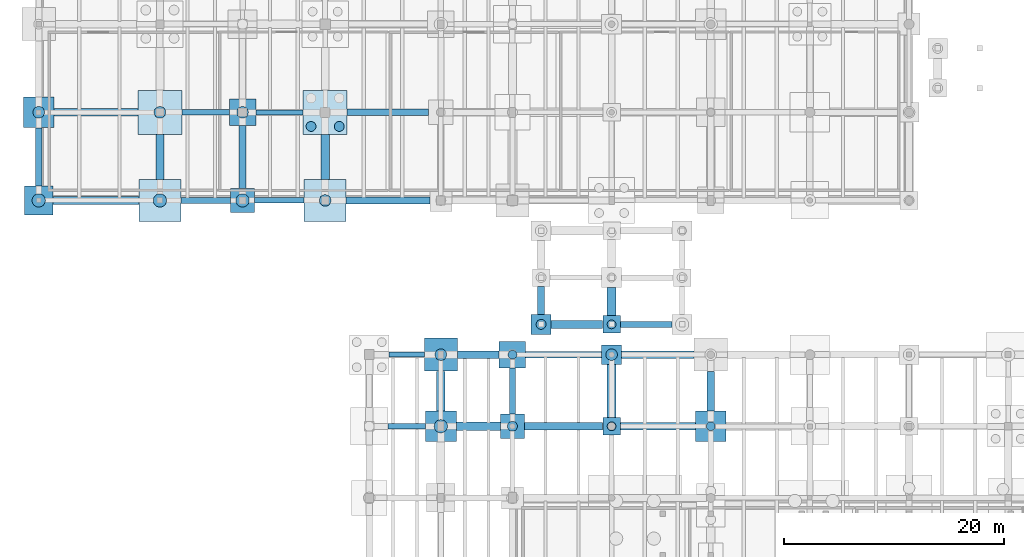
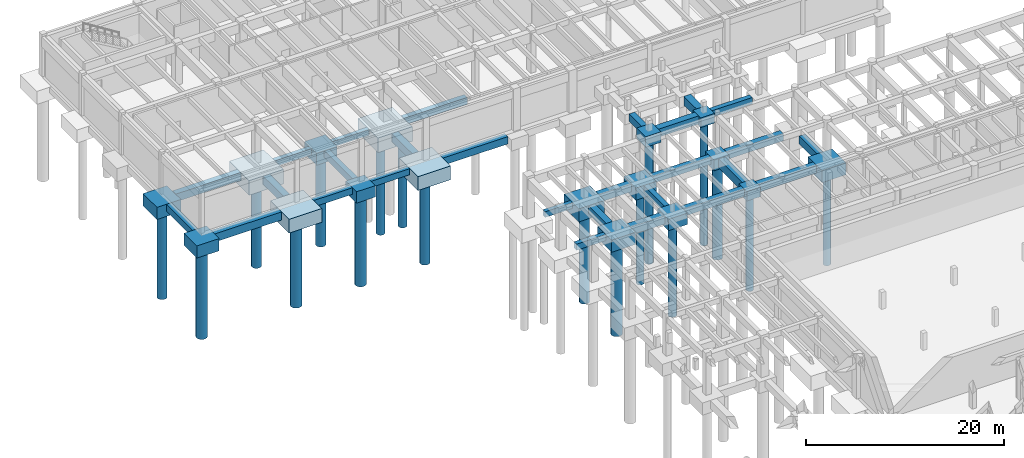
# One storey, part 7 of 36: 45 footings, 18 piles.
"""IFC4 building model written with IfcOpenShell, lengths in metres."""

from ifc_helpers import new_model, si_unit, direction, frame, origin, origin_2d, place, context, subcontext, project, spatial, polyline, circle, outline, extrude, material, material_profile, profile_set, type_object, element, save


model = new_model("IFC4")

# Units and contexts
model_context = context("Model", 3, precision=1e-05, world=origin(), true_north=direction((0.0, 1.0)))
body_context = subcontext(model_context, "Body", "Model", "MODEL_VIEW")
ifc_project = project(units=[si_unit("LENGTHUNIT", "METRE"), si_unit("AREAUNIT", "SQUARE_METRE"), si_unit("VOLUMEUNIT", "CUBIC_METRE"), si_unit("PLANEANGLEUNIT", "RADIAN"), si_unit("MASSUNIT", "GRAM", prefix="KILO"), si_unit("THERMODYNAMICTEMPERATUREUNIT", "KELVIN"), si_unit("POWERUNIT", "WATT")], contexts=[model_context])

# Site, building, storey
site_placement = place(None, origin())
site = spatial("IfcSite", under=ifc_project, at=site_placement, CompositionType="ELEMENT")
building_placement = place(site_placement, origin())
building = spatial("IfcBuilding", under=site, at=building_placement, Name="Tepalcoro Natatorium and Aquatics Centre", CompositionType="ELEMENT")
storey_placement = place(building_placement, frame((0.0, 0.0, -5.199951171875)))
storey = spatial("IfcBuildingStorey", under=building, at=storey_placement, Name="B1", CompositionType="ELEMENT", Elevation=-5.199951171875)

# Footings
ifc_material = material(Name="Concrete C40/50 (fc 40 MPa)", Category="concrete")
footing_type_1 = type_object("IfcFootingType", Name="FB_450x700", PredefinedType="FOOTING_BEAM", material=ifc_material)
footing_1_placement = place(storey_placement, frame((0.0, 0.0, -0.699951171875)))
element("IfcFooting", 1, at=footing_1_placement, inside=storey, type_object=footing_type_1, Name="V1 B1 Foundation Tie Beam X", PredefinedType="FOOTING_BEAM", context=body_context, shape_type="SweptSolid", body=[
    extrude(outline(polyline([(41.804931640625, 71.77490234375), (44.9951171875, 71.77490234375), (44.9951171875, 72.22509765625), (41.804931640625, 72.22509765625), (41.804931640625, 71.77490234375)])), origin(), (0.0, 0.0, 1.0), 0.699951171875),
])
footing_2_placement = place(storey_placement, frame((0.0, 0.0, -1.16015625)))
element("IfcFooting", 2, at=footing_2_placement, inside=storey, type_object=footing_type_1, Name="V4 B1 Foundation Tie Beam X", PredefinedType="FOOTING_BEAM", context=body_context, shape_type="SweptSolid", body=[
    extrude(outline(polyline([(29.705078125, 93.77490234375), (33.9951171875, 93.77490234375), (33.9951171875, 94.22509765625), (29.705078125, 94.22509765625), (29.705078125, 93.77490234375)])), origin(), (0.0, 0.0, 1.0), 0.7001953125),
])
footing_type_2 = type_object("IfcFootingType", Name="FB_500x750", PredefinedType="FOOTING_BEAM", material=ifc_material)
footing_3_placement = place(storey_placement, frame((0.0, 0.0, -0.75)))
element("IfcFooting", 3, at=footing_3_placement, inside=storey, type_object=footing_type_2, Name="V1 B1 Foundation Tie Beam X", PredefinedType="FOOTING_BEAM", context=body_context, shape_type="SweptSolid", body=[
    extrude(outline(polyline([(41.705078125, 65.25), (45.094970703125, 65.25), (45.094970703125, 65.75), (41.705078125, 65.75), (41.705078125, 65.25)])), origin(), (0.0, 0.0, 1.0), 0.75),
])
footing_4_placement = place(storey_placement, frame((0.0, 0.0, -1.2099609375)))
element("IfcFooting", 4, at=footing_4_placement, inside=storey, type_object=footing_type_2, Name="V4 B1 Foundation Tie Beam X", PredefinedType="FOOTING_BEAM", context=body_context, shape_type="SweptSolid", body=[
    extrude(outline(polyline([(23.0048828125, 93.75), (27.294921875, 93.75), (27.294921875, 94.25), (23.0048828125, 94.25), (23.0048828125, 93.75)])), origin(), (0.0, 0.0, 1.0), 0.75),
])
footing_5_placement = place(storey_placement, frame((0.0, 0.0, -1.2099609375)))
element("IfcFooting", 5, at=footing_5_placement, inside=storey, type_object=footing_type_2, Name="V4 B1 Foundation Tie Beam X", PredefinedType="FOOTING_BEAM", context=body_context, shape_type="SweptSolid", body=[
    extrude(outline(polyline([(29.60498046875, 85.75), (34.094970703125, 85.75), (34.094970703125, 86.25), (29.60498046875, 86.25), (29.60498046875, 85.75)])), origin(), (0.0, 0.0, 1.0), 0.75),
])
footing_type_3 = type_object("IfcFootingType", Name="FB_550x800", PredefinedType="FOOTING_BEAM", material=ifc_material)
footing_6_placement = place(storey_placement, frame((0.0, 0.0, -0.800048828125)))
element("IfcFooting", 6, at=footing_6_placement, inside=storey, type_object=footing_type_3, Name="V1 B1 Foundation Tie Beam Y", PredefinedType="FOOTING_BEAM", context=body_context, shape_type="SweptSolid", body=[
    extrude(outline(polyline([(53.27490234375, 66.60498046875), (53.27490234375, 70.794921875), (52.72509765625, 70.794921875), (52.72509765625, 66.60498046875), (53.27490234375, 66.60498046875)])), origin(), (0.0, 0.0, 1.0), 0.800048828125),
])
footing_7_placement = place(storey_placement, frame((0.0, 0.0, -1.260009765625)))
element("IfcFooting", 7, at=footing_7_placement, inside=storey, type_object=footing_type_3, Name="V4 B1 Foundation Tie Beam X", PredefinedType="FOOTING_BEAM", context=body_context, shape_type="SweptSolid", body=[
    extrude(outline(polyline([(22.905029296875, 85.72509765625), (27.39501953125, 85.72509765625), (27.39501953125, 86.27490234375), (22.905029296875, 86.27490234375), (22.905029296875, 85.72509765625)])), origin(), (0.0, 0.0, 1.0), 0.800048828125),
])
footing_8_placement = place(storey_placement, frame((0.0, 0.0, 2.64990234375)))
element("IfcFooting", 8, at=footing_8_placement, inside=storey, type_object=footing_type_3, Name="V6NW B1 Foundation Tie Beam X", PredefinedType="FOOTING_BEAM", context=body_context, shape_type="SweptSolid", body=[
    extrude(outline(polyline([(62.804931640625, 74.47509765625), (67.4951171875, 74.47509765625), (67.4951171875, 75.02490234375), (62.804931640625, 75.02490234375), (62.804931640625, 74.47509765625)])), origin(), (0.0, 0.0, 1.0), 0.800048828125),
])
footing_type_4 = type_object("IfcFootingType", Name="FB_600x850", PredefinedType="FOOTING_BEAM", material=ifc_material)
footing_9_placement = place(storey_placement, frame((0.0, 0.0, -0.85009765625)))
element("IfcFooting", 9, at=footing_9_placement, inside=storey, type_object=footing_type_4, Name="V1 B1 Foundation Tie Beam X", PredefinedType="FOOTING_BEAM", context=body_context, shape_type="SweptSolid", body=[
    extrude(outline(polyline([(54.205078125, 71.699951171875), (61.094970703125, 71.699951171875), (61.094970703125, 72.300048828125), (54.205078125, 72.300048828125), (54.205078125, 71.699951171875)])), origin(), (0.0, 0.0, 1.0), 0.85009765625),
])
footing_10_placement = place(storey_placement, frame((0.0, 0.0, -1.31005859375)))
element("IfcFooting", 10, at=footing_10_placement, inside=storey, type_object=footing_type_4, Name="V4 B1 Foundation Tie Beam X", PredefinedType="FOOTING_BEAM", context=body_context, shape_type="SweptSolid", body=[
    extrude(outline(polyline([(38.0048828125, 93.699951171875), (45.39501953125, 93.699951171875), (45.39501953125, 94.300048828125), (38.0048828125, 94.300048828125), (38.0048828125, 93.699951171875)])), origin(), (0.0, 0.0, 1.0), 0.85009765625),
])
footing_11_placement = place(storey_placement, frame((0.0, 0.0, -1.31005859375)))
element("IfcFooting", 11, at=footing_11_placement, inside=storey, type_object=footing_type_4, Name="V4 B1 Foundation Tie Beam Y", PredefinedType="FOOTING_BEAM", context=body_context, shape_type="SweptSolid", body=[
    extrude(outline(polyline([(10.300048828125, 87.304931640625), (10.300048828125, 92.594970703125), (9.699951171875, 92.594970703125), (9.699951171875, 87.304931640625), (10.300048828125, 87.304931640625)])), origin(), (0.0, 0.0, 1.0), 0.85009765625),
])
footing_12_placement = place(storey_placement, frame((0.0, 0.0, -1.31005859375)))
element("IfcFooting", 12, at=footing_12_placement, inside=storey, type_object=footing_type_4, Name="V4 B1 Foundation Tie Beam Y", PredefinedType="FOOTING_BEAM", context=body_context, shape_type="SweptSolid", body=[
    extrude(outline(polyline([(28.800048828125, 87.10498046875), (28.800048828125, 92.794921875), (28.199951171875, 92.794921875), (28.199951171875, 87.10498046875), (28.800048828125, 87.10498046875)])), origin(), (0.0, 0.0, 1.0), 0.85009765625),
])
footing_type_5 = type_object("IfcFootingType", Name="FB_650x900", PredefinedType="FOOTING_BEAM", material=ifc_material)
footing_13_placement = place(storey_placement, frame((0.0, 0.0, -0.900146484375)))
element("IfcFooting", 13, at=footing_13_placement, inside=storey, type_object=footing_type_5, Name="V1 B1 Foundation Tie Beam X", PredefinedType="FOOTING_BEAM", context=body_context, shape_type="SweptSolid", body=[
    extrude(outline(polyline([(54.10498046875, 65.175048828125), (61.195068359375, 65.175048828125), (61.195068359375, 65.824951171875), (54.10498046875, 65.824951171875), (54.10498046875, 65.175048828125)])), origin(), (0.0, 0.0, 1.0), 0.900146484375),
])
footing_14_placement = place(storey_placement, frame((0.0, 0.0, -0.900146484375)))
element("IfcFooting", 14, at=footing_14_placement, inside=storey, type_object=footing_type_5, Name="V1 B1 Foundation Tie Beam X", PredefinedType="FOOTING_BEAM", context=body_context, shape_type="SweptSolid", body=[
    extrude(outline(polyline([(62.905029296875, 71.675048828125), (69.4951171875, 71.675048828125), (69.4951171875, 72.324951171875), (62.905029296875, 72.324951171875), (62.905029296875, 71.675048828125)])), origin(), (0.0, 0.0, 1.0), 0.900146484375),
])
footing_15_placement = place(storey_placement, frame((0.0, 0.0, -1.360107421875)))
element("IfcFooting", 15, at=footing_15_placement, inside=storey, type_object=footing_type_5, Name="V4 B1 Foundation Tie Beam X", PredefinedType="FOOTING_BEAM", context=body_context, shape_type="SweptSolid", body=[
    extrude(outline(polyline([(37.905029296875, 85.675048828125), (45.4951171875, 85.675048828125), (45.4951171875, 86.324951171875), (37.905029296875, 86.324951171875), (37.905029296875, 85.675048828125)])), origin(), (0.0, 0.0, 1.0), 0.900146484375),
])
footing_16_placement = place(storey_placement, frame((0.0, 0.0, 2.550048828125)))
element("IfcFooting", 16, at=footing_16_placement, inside=storey, type_object=footing_type_5, Name="V6NW B1 Foundation Tie Beam Y", PredefinedType="FOOTING_BEAM", context=body_context, shape_type="SweptSolid", body=[
    extrude(outline(polyline([(55.925048828125, 75.655029296875), (55.925048828125, 78.195068359375), (55.27490234375, 78.195068359375), (55.27490234375, 75.655029296875), (55.925048828125, 75.655029296875)])), origin(), (0.0, 0.0, 1.0), 0.89990234375),
])
footing_type_6 = type_object("IfcFootingType", Name="FB_700x950", PredefinedType="FOOTING_BEAM", material=ifc_material)
footing_17_placement = place(storey_placement, frame((0.0, 0.0, -0.949951171875)))
element("IfcFooting", 17, at=footing_17_placement, inside=storey, type_object=footing_type_6, Name="V1 B1 Foundation Tie Beam X", PredefinedType="FOOTING_BEAM", context=body_context, shape_type="SweptSolid", body=[
    extrude(outline(polyline([(48.0048828125, 71.64990234375), (51.794921875, 71.64990234375), (51.794921875, 72.35009765625), (48.0048828125, 72.35009765625), (48.0048828125, 71.64990234375)])), origin(), (0.0, 0.0, 1.0), 0.949951171875),
])
footing_18_placement = place(storey_placement, frame((0.0, 0.0, -0.949951171875)))
element("IfcFooting", 18, at=footing_18_placement, inside=storey, type_object=footing_type_6, Name="V1 B1 Foundation Tie Beam X", PredefinedType="FOOTING_BEAM", context=body_context, shape_type="SweptSolid", body=[
    extrude(outline(polyline([(62.804931640625, 65.14990234375), (69.594970703125, 65.14990234375), (69.594970703125, 65.85009765625), (62.804931640625, 65.85009765625), (62.804931640625, 65.14990234375)])), origin(), (0.0, 0.0, 1.0), 0.949951171875),
])
footing_19_placement = place(storey_placement, frame((0.0, 0.0, -0.949951171875)))
element("IfcFooting", 19, at=footing_19_placement, inside=storey, type_object=footing_type_6, Name="V1 B1 Foundation Tie Beam Y", PredefinedType="FOOTING_BEAM", context=body_context, shape_type="SweptSolid", body=[
    extrude(outline(polyline([(71.35009765625, 66.905029296875), (71.35009765625, 70.4951171875), (70.64990234375, 70.4951171875), (70.64990234375, 66.905029296875), (71.35009765625, 66.905029296875)])), origin(), (0.0, 0.0, 1.0), 0.949951171875),
])
footing_20_placement = place(storey_placement, frame((0.0, 0.0, -1.41015625)))
element("IfcFooting", 20, at=footing_20_placement, inside=storey, type_object=footing_type_6, Name="V4 B1 Foundation Tie Beam X", PredefinedType="FOOTING_BEAM", context=body_context, shape_type="SweptSolid", body=[
    extrude(outline(polyline([(11.405029296875, 93.64990234375), (18.9951171875, 93.64990234375), (18.9951171875, 94.35009765625), (11.405029296875, 94.35009765625), (11.405029296875, 93.64990234375)])), origin(), (0.0, 0.0, 1.0), 0.9501953125),
])
footing_type_7 = type_object("IfcFootingType", Name="FB_750x1000", PredefinedType="FOOTING_BEAM", material=ifc_material)
footing_21_placement = place(storey_placement, frame((0.0, 0.0, -1.0)))
element("IfcFooting", 21, at=footing_21_placement, inside=storey, type_object=footing_type_7, Name="V1 B1 Foundation Tie Beam X", PredefinedType="FOOTING_BEAM", context=body_context, shape_type="SweptSolid", body=[
    extrude(outline(polyline([(47.905029296875, 65.125), (51.89501953125, 65.125), (51.89501953125, 65.875), (47.905029296875, 65.875), (47.905029296875, 65.125)])), origin(), (0.0, 0.0, 1.0), 1.0),
])
footing_22_placement = place(storey_placement, frame((0.0, 0.0, -1.0)))
element("IfcFooting", 22, at=footing_22_placement, inside=storey, type_object=footing_type_7, Name="V1 B1 Foundation Tie Beam Y", PredefinedType="FOOTING_BEAM", context=body_context, shape_type="SweptSolid", body=[
    extrude(outline(polyline([(46.875, 66.905029296875), (46.875, 70.4951171875), (46.125, 70.4951171875), (46.125, 66.905029296875), (46.875, 66.905029296875)])), origin(), (0.0, 0.0, 1.0), 1.0),
])
footing_23_placement = place(storey_placement, frame((0.0, 0.0, -1.4599609375)))
element("IfcFooting", 23, at=footing_23_placement, inside=storey, type_object=footing_type_7, Name="V4 B1 Foundation Tie Beam X", PredefinedType="FOOTING_BEAM", context=body_context, shape_type="SweptSolid", body=[
    extrude(outline(polyline([(11.304931640625, 85.625), (19.094970703125, 85.625), (19.094970703125, 86.375), (11.304931640625, 86.375), (11.304931640625, 85.625)])), origin(), (0.0, 0.0, 1.0), 1.0),
])
footing_24_placement = place(storey_placement, frame((0.0, 0.0, -1.4599609375)))
element("IfcFooting", 24, at=footing_24_placement, inside=storey, type_object=footing_type_7, Name="V4 B1 Foundation Tie Beam Y", PredefinedType="FOOTING_BEAM", context=body_context, shape_type="SweptSolid", body=[
    extrude(outline(polyline([(21.375, 87.905029296875), (21.375, 91.9951171875), (20.625, 91.9951171875), (20.625, 87.905029296875), (21.375, 87.905029296875)])), origin(), (0.0, 0.0, 1.0), 1.0),
])
footing_25_placement = place(storey_placement, frame((0.0, 0.0, -1.4599609375)))
element("IfcFooting", 25, at=footing_25_placement, inside=storey, type_object=footing_type_7, Name="V4 B1 Foundation Tie Beam Y", PredefinedType="FOOTING_BEAM", context=body_context, shape_type="SweptSolid", body=[
    extrude(outline(polyline([(36.375, 87.905029296875), (36.375, 91.9951171875), (35.625, 91.9951171875), (35.625, 87.905029296875), (36.375, 87.905029296875)])), origin(), (0.0, 0.0, 1.0), 1.0),
])
footing_26_placement = place(storey_placement, frame((0.0, 0.0, 2.449951171875)))
element("IfcFooting", 26, at=footing_26_placement, inside=storey, type_object=footing_type_7, Name="V6NW B1 Foundation Tie Beam X", PredefinedType="FOOTING_BEAM", context=body_context, shape_type="SweptSolid", body=[
    extrude(outline(polyline([(56.5048828125, 74.375), (61.195068359375, 74.375), (61.195068359375, 75.125), (56.5048828125, 75.125), (56.5048828125, 74.375)])), origin(), (0.0, 0.0, 1.0), 1.0),
])
footing_type_8 = type_object("IfcFootingType", Name="FB_800x1100", PredefinedType="FOOTING_BEAM", material=ifc_material)
footing_27_placement = place(storey_placement, frame((0.0, 0.0, -1.10009765625)))
element("IfcFooting", 27, at=footing_27_placement, inside=storey, type_object=footing_type_8, Name="V1 B1 Foundation Tie Beam Y", PredefinedType="FOOTING_BEAM", context=body_context, shape_type="SweptSolid", body=[
    extrude(outline(polyline([(62.39990234375, 66.304931640625), (62.39990234375, 71.094970703125), (61.60009765625, 71.094970703125), (61.60009765625, 66.304931640625), (62.39990234375, 66.304931640625)])), origin(), (0.0, 0.0, 1.0), 1.10009765625),
])
footing_28_placement = place(storey_placement, frame((0.0, 0.0, 2.349853515625)))
element("IfcFooting", 28, at=footing_28_placement, inside=storey, type_object=footing_type_8, Name="V6NW B1 Foundation Tie Beam Y", PredefinedType="FOOTING_BEAM", context=body_context, shape_type="SweptSolid", body=[
    extrude(outline(polyline([(62.39990234375, 75.554931640625), (62.39990234375, 78.094970703125), (61.60009765625, 78.094970703125), (61.60009765625, 75.554931640625), (62.39990234375, 75.554931640625)])), origin(), (0.0, 0.0, 1.0), 1.10009765625),
])
footing_type_9 = type_object("IfcFootingType", Name="PC_1600x1600x1200", PredefinedType="PILE_CAP", material=ifc_material)
footing_29_placement = place(storey_placement, frame((0.0, 0.0, -1.199951171875)))
element("IfcFooting", 29, at=footing_29_placement, inside=storey, type_object=footing_type_9, Name="V1 Reinforced Concrete Pile Cap 40", PredefinedType="PILE_CAP", context=body_context, shape_type="SweptSolid", body=[
    extrude(outline(polyline([(61.199951171875, 64.699951171875), (62.800048828125, 64.699951171875), (62.800048828125, 66.300048828125), (61.199951171875, 66.300048828125), (61.199951171875, 64.699951171875)])), origin(), (0.0, 0.0, 1.0), 1.199951171875),
])
footing_30_placement = place(storey_placement, frame((0.0, 0.0, 2.25)))
element("IfcFooting", 30, at=footing_30_placement, inside=storey, type_object=footing_type_9, Name="V6NW Reinforced Concrete Pile Cap 334", PredefinedType="PILE_CAP", context=body_context, shape_type="SweptSolid", body=[
    extrude(outline(polyline([(61.199951171875, 73.949951171875), (62.800048828125, 73.949951171875), (62.800048828125, 75.550048828125), (61.199951171875, 75.550048828125), (61.199951171875, 73.949951171875)])), origin(), (0.0, 0.0, 1.0), 1.199951171875),
])
footing_type_10 = type_object("IfcFootingType", Name="PC_1800x1800x1300", PredefinedType="PILE_CAP", material=ifc_material)
footing_31_placement = place(storey_placement, frame((0.0, 0.0, -1.300048828125)))
element("IfcFooting", 31, at=footing_31_placement, inside=storey, type_object=footing_type_10, Name="V1 Reinforced Concrete Pile Cap 39", PredefinedType="PILE_CAP", context=body_context, shape_type="SweptSolid", body=[
    extrude(outline(polyline([(61.10009765625, 71.10009765625), (62.89990234375, 71.10009765625), (62.89990234375, 72.89990234375), (61.10009765625, 72.89990234375), (61.10009765625, 71.10009765625)])), origin(), (0.0, 0.0, 1.0), 1.300048828125),
])
footing_32_placement = place(storey_placement, frame((0.0, 0.0, 2.14990234375)))
element("IfcFooting", 32, at=footing_32_placement, inside=storey, type_object=footing_type_10, Name="V6NW Reinforced Concrete Pile Cap 330", PredefinedType="PILE_CAP", context=body_context, shape_type="SweptSolid", body=[
    extrude(outline(polyline([(54.699951171875, 73.85009765625), (56.5, 73.85009765625), (56.5, 75.64990234375), (54.699951171875, 75.64990234375), (54.699951171875, 73.85009765625)])), origin(), (0.0, 0.0, 1.0), 1.300048828125),
])
footing_type_11 = type_object("IfcFootingType", Name="PC_2200x2200x1400", PredefinedType="PILE_CAP", material=ifc_material)
footing_33_placement = place(storey_placement, frame((0.0, 0.0, -1.400146484375)))
element("IfcFooting", 33, at=footing_33_placement, inside=storey, type_object=footing_type_11, Name="V1 Reinforced Concrete Pile Cap 30", PredefinedType="PILE_CAP", context=body_context, shape_type="SweptSolid", body=[
    extrude(outline(polyline([(51.89990234375, 64.39990234375), (54.10009765625, 64.39990234375), (54.10009765625, 66.60009765625), (51.89990234375, 66.60009765625), (51.89990234375, 64.39990234375)])), origin(), (0.0, 0.0, 1.0), 1.400146484375),
])
footing_34_placement = place(storey_placement, frame((0.0, 0.0, -1.860107421875)))
element("IfcFooting", 34, at=footing_34_placement, inside=storey, type_object=footing_type_11, Name="V4 Reinforced Concrete Pile Cap 188", PredefinedType="PILE_CAP", context=body_context, shape_type="SweptSolid", body=[
    extrude(outline(polyline([(27.39990234375, 84.89990234375), (29.60009765625, 84.89990234375), (29.60009765625, 87.10009765625), (27.39990234375, 87.10009765625), (27.39990234375, 84.89990234375)])), origin(), (0.0, 0.0, 1.0), 1.400146484375),
])
footing_type_12 = type_object("IfcFootingType", Name="PC_2400x2400x1500", PredefinedType="PILE_CAP", material=ifc_material)
footing_35_placement = place(storey_placement, frame((0.0, 0.0, -1.5)))
element("IfcFooting", 35, at=footing_35_placement, inside=storey, type_object=footing_type_12, Name="V1 Reinforced Concrete Pile Cap 29", PredefinedType="PILE_CAP", context=body_context, shape_type="SweptSolid", body=[
    extrude(outline(polyline([(51.800048828125, 70.800048828125), (54.199951171875, 70.800048828125), (54.199951171875, 73.199951171875), (51.800048828125, 73.199951171875), (51.800048828125, 70.800048828125)])), origin(), (0.0, 0.0, 1.0), 1.5),
])
footing_36_placement = place(storey_placement, frame((0.0, 0.0, -1.9599609375)))
element("IfcFooting", 36, at=footing_36_placement, inside=storey, type_object=footing_type_12, Name="V4 Reinforced Concrete Pile Cap 187", PredefinedType="PILE_CAP", context=body_context, shape_type="SweptSolid", body=[
    extrude(outline(polyline([(27.300048828125, 92.800048828125), (29.699951171875, 92.800048828125), (29.699951171875, 95.199951171875), (27.300048828125, 95.199951171875), (27.300048828125, 92.800048828125)])), origin(), (0.0, 0.0, 1.0), 1.5),
])
footing_type_13 = type_object("IfcFootingType", Name="PC_2600x2600x1500", PredefinedType="PILE_CAP", material=ifc_material)
footing_37_placement = place(storey_placement, frame((0.0, 0.0, -1.9599609375)))
element("IfcFooting", 37, at=footing_37_placement, inside=storey, type_object=footing_type_13, Name="V4 Reinforced Concrete Pile Cap 176", PredefinedType="PILE_CAP", context=body_context, shape_type="SweptSolid", body=[
    extrude(outline(polyline([(8.699951171875, 84.699951171875), (11.300048828125, 84.699951171875), (11.300048828125, 87.300048828125), (8.699951171875, 87.300048828125), (8.699951171875, 84.699951171875)])), origin(), (0.0, 0.0, 1.0), 1.5),
])
footing_type_14 = type_object("IfcFootingType", Name="PC_2800x2800x1500", PredefinedType="PILE_CAP", material=ifc_material)
footing_38_placement = place(storey_placement, frame((0.0, 0.0, -1.5)))
element("IfcFooting", 38, at=footing_38_placement, inside=storey, type_object=footing_type_14, Name="V1 Reinforced Concrete Pile Cap 16", PredefinedType="PILE_CAP", context=body_context, shape_type="SweptSolid", body=[
    extrude(outline(polyline([(45.10009765625, 64.10009765625), (47.89990234375, 64.10009765625), (47.89990234375, 66.89990234375), (45.10009765625, 66.89990234375), (45.10009765625, 64.10009765625)])), origin(), (0.0, 0.0, 1.0), 1.5),
])
footing_39_placement = place(storey_placement, frame((0.0, 0.0, -1.5)))
element("IfcFooting", 39, at=footing_39_placement, inside=storey, type_object=footing_type_14, Name="V1 Reinforced Concrete Pile Cap 49", PredefinedType="PILE_CAP", context=body_context, shape_type="SweptSolid", body=[
    extrude(outline(polyline([(69.60009765625, 64.10009765625), (72.39990234375, 64.10009765625), (72.39990234375, 66.89990234375), (69.60009765625, 66.89990234375), (69.60009765625, 64.10009765625)])), origin(), (0.0, 0.0, 1.0), 1.5),
])
footing_40_placement = place(storey_placement, frame((0.0, 0.0, -1.9599609375)))
element("IfcFooting", 40, at=footing_40_placement, inside=storey, type_object=footing_type_14, Name="V4 Reinforced Concrete Pile Cap 175", PredefinedType="PILE_CAP", context=body_context, shape_type="SweptSolid", body=[
    extrude(outline(polyline([(8.60009765625, 92.60009765625), (11.39990234375, 92.60009765625), (11.39990234375, 95.39990234375), (8.60009765625, 95.39990234375), (8.60009765625, 92.60009765625)])), origin(), (0.0, 0.0, 1.0), 1.5),
])
footing_type_15 = type_object("IfcFootingType", Name="PC_3000x3000x1600", PredefinedType="PILE_CAP", material=ifc_material)
footing_41_placement = place(storey_placement, frame((0.0, 0.0, -1.60009765625)))
element("IfcFooting", 41, at=footing_41_placement, inside=storey, type_object=footing_type_15, Name="V1 Reinforced Concrete Pile Cap 15", PredefinedType="PILE_CAP", context=body_context, shape_type="SweptSolid", body=[
    extrude(outline(polyline([(45.0, 70.5), (48.0, 70.5), (48.0, 73.5), (45.0, 73.5), (45.0, 70.5)])), origin(), (0.0, 0.0, 1.0), 1.60009765625),
])
footing_type_16 = type_object("IfcFootingType", Name="PC_3800x3800x1700", PredefinedType="PILE_CAP", material=ifc_material)
footing_42_placement = place(storey_placement, frame((0.0, 0.0, -2.16015625)))
element("IfcFooting", 42, at=footing_42_placement, inside=storey, type_object=footing_type_16, Name="V4 Reinforced Concrete Pile Cap 180", PredefinedType="PILE_CAP", context=body_context, shape_type="SweptSolid", body=[
    extrude(outline(polyline([(19.10009765625, 84.10009765625), (22.89990234375, 84.10009765625), (22.89990234375, 87.89990234375), (19.10009765625, 87.89990234375), (19.10009765625, 84.10009765625)])), origin(), (0.0, 0.0, 1.0), 1.7001953125),
])
footing_43_placement = place(storey_placement, frame((0.0, 0.0, -2.16015625)))
element("IfcFooting", 43, at=footing_43_placement, inside=storey, type_object=footing_type_16, Name="V4 Reinforced Concrete Pile Cap 191", PredefinedType="PILE_CAP", context=body_context, shape_type="SweptSolid", body=[
    extrude(outline(polyline([(34.10009765625, 84.10009765625), (37.89990234375, 84.10009765625), (37.89990234375, 87.89990234375), (34.10009765625, 87.89990234375), (34.10009765625, 84.10009765625)])), origin(), (0.0, 0.0, 1.0), 1.7001953125),
])
footing_type_17 = type_object("IfcFootingType", Name="PC_4000x4000x1800", PredefinedType="PILE_CAP", material=ifc_material)
footing_44_placement = place(storey_placement, frame((0.0, 0.0, -2.260009765625)))
element("IfcFooting", 44, at=footing_44_placement, inside=storey, type_object=footing_type_17, Name="V4 Reinforced Concrete Pile Cap 179", PredefinedType="PILE_CAP", context=body_context, shape_type="SweptSolid", body=[
    extrude(outline(polyline([(19.0, 92.0), (23.0, 92.0), (23.0, 96.0), (19.0, 96.0), (19.0, 92.0)])), origin(), (0.0, 0.0, 1.0), 1.800048828125),
])
footing_45_placement = place(storey_placement, frame((0.0, 0.0, -2.260009765625)))
element("IfcFooting", 45, at=footing_45_placement, inside=storey, type_object=footing_type_17, Name="V4 Reinforced Concrete Pile Cap 190", PredefinedType="PILE_CAP", context=body_context, shape_type="SweptSolid", body=[
    extrude(outline(polyline([(34.0, 92.0), (38.0, 92.0), (38.0, 96.0), (34.0, 96.0), (34.0, 92.0)])), origin(), (0.0, 0.0, 1.0), 1.800048828125),
])

# Piles
ifc_material_profile_1 = material_profile(ifc_material, circle(Radius=0.52490234375, at=origin_2d()), Name="PILE_D1050")
ifc_profile_set_1 = profile_set([ifc_material_profile_1], Name="Concrete C40/50 (fc 40 MPa)")
pile_type_1 = type_object("IfcPileType", Name="PILE_D1050", PredefinedType="BORED", material=ifc_profile_set_1)
pile_1_placement = place(storey_placement, frame((46.5, 72.0, -1.5), z_axis=(0.0, 0.0, -1.0), x_axis=(1.0, 0.0, 0.0)))
element("IfcPile", 46, at=pile_1_placement, inside=storey, type_object=pile_type_1, Name="Bored Pile PILE_D1050 under PC_V1_0014", PredefinedType="BORED", context=body_context, shape_type="SweptSolid", body=[
    extrude(circle(Radius=0.52490234375, at=origin_2d()), origin(), (0.0, 0.0, 1.0), 11.300048828125),
])
pile_2_placement = place(storey_placement, frame((62.0, 72.0, -1.199951171875), z_axis=(0.0, 0.0, -1.0), x_axis=(1.0, 0.0, 0.0)))
element("IfcPile", 47, at=pile_2_placement, inside=storey, type_object=pile_type_1, Name="Bored Pile PILE_D1050 under PC_V1_0038", PredefinedType="BORED", context=body_context, shape_type="SweptSolid", body=[
    extrude(circle(Radius=0.52490234375, at=origin_2d()), origin(), (0.0, 0.0, 1.0), 11.60009765625),
])
pile_3_placement = place(storey_placement, frame((10.0, 94.0, -1.860107421875), z_axis=(0.0, 0.0, -1.0), x_axis=(1.0, 0.0, 0.0)))
element("IfcPile", 48, at=pile_3_placement, inside=storey, type_object=pile_type_1, Name="Bored Pile PILE_D1050 under PC_V4_0174", PredefinedType="BORED", context=body_context, shape_type="SweptSolid", body=[
    extrude(circle(Radius=0.52490234375, at=origin_2d()), origin(), (0.0, 0.0, 1.0), 10.93994140625),
])
pile_4_placement = place(storey_placement, frame((21.0, 94.0, -2.16015625), z_axis=(0.0, 0.0, -1.0), x_axis=(1.0, 0.0, 0.0)))
element("IfcPile", 49, at=pile_4_placement, inside=storey, type_object=pile_type_1, Name="Bored Pile PILE_D1050 under PC_V4_0178", PredefinedType="BORED", context=body_context, shape_type="SweptSolid", body=[
    extrude(circle(Radius=0.52490234375, at=origin_2d()), origin(), (0.0, 0.0, 1.0), 10.639892578125),
])
pile_5_placement = place(storey_placement, frame((28.5, 94.0, -1.860107421875), z_axis=(0.0, 0.0, -1.0), x_axis=(1.0, 0.0, 0.0)))
element("IfcPile", 50, at=pile_5_placement, inside=storey, type_object=pile_type_1, Name="Bored Pile PILE_D1050 under PC_V4_0186", PredefinedType="BORED", context=body_context, shape_type="SweptSolid", body=[
    extrude(circle(Radius=0.52490234375, at=origin_2d()), origin(), (0.0, 0.0, 1.0), 10.93994140625),
])
pile_6_placement = place(storey_placement, frame((36.0, 86.0, -2.06005859375), z_axis=(0.0, 0.0, -1.0), x_axis=(1.0, 0.0, 0.0)))
element("IfcPile", 51, at=pile_6_placement, inside=storey, type_object=pile_type_1, Name="Bored Pile PILE_D1050 under PC_V4_0190", PredefinedType="BORED", context=body_context, shape_type="SweptSolid", body=[
    extrude(circle(Radius=0.52490234375, at=origin_2d()), origin(), (0.0, 0.0, 1.0), 10.739990234375),
])
ifc_material_profile_2 = material_profile(ifc_material, circle(Radius=0.60009765625, at=origin_2d()), Name="PILE_D1200")
ifc_profile_set_2 = profile_set([ifc_material_profile_2], Name="Concrete C40/50 (fc 40 MPa)")
pile_type_2 = type_object("IfcPileType", Name="PILE_D1200", PredefinedType="BORED", material=ifc_profile_set_2)
pile_7_placement = place(storey_placement, frame((46.5, 65.5, -1.400146484375), z_axis=(0.0, 0.0, -1.0), x_axis=(1.0, 0.0, 0.0)))
element("IfcPile", 52, at=pile_7_placement, inside=storey, type_object=pile_type_2, Name="Bored Pile PILE_D1200 under PC_V1_0015", PredefinedType="BORED", context=body_context, shape_type="SweptSolid", body=[
    extrude(circle(Radius=0.60009765625, at=origin_2d()), origin(), (0.0, 0.0, 1.0), 11.39990234375),
])
pile_8_placement = place(storey_placement, frame((10.0, 86.0, -1.860107421875), z_axis=(0.0, 0.0, -1.0), x_axis=(1.0, 0.0, 0.0)))
element("IfcPile", 53, at=pile_8_placement, inside=storey, type_object=pile_type_2, Name="Bored Pile PILE_D1200 under PC_V4_0175", PredefinedType="BORED", context=body_context, shape_type="SweptSolid", body=[
    extrude(circle(Radius=0.60009765625, at=origin_2d()), origin(), (0.0, 0.0, 1.0), 10.93994140625),
])
pile_9_placement = place(storey_placement, frame((21.0, 86.0, -2.06005859375), z_axis=(0.0, 0.0, -1.0), x_axis=(1.0, 0.0, 0.0)))
element("IfcPile", 54, at=pile_9_placement, inside=storey, type_object=pile_type_2, Name="Bored Pile PILE_D1200 under PC_V4_0179", PredefinedType="BORED", context=body_context, shape_type="SweptSolid", body=[
    extrude(circle(Radius=0.60009765625, at=origin_2d()), origin(), (0.0, 0.0, 1.0), 10.739990234375),
])
pile_10_placement = place(storey_placement, frame((28.5, 86.0, -1.760009765625), z_axis=(0.0, 0.0, -1.0), x_axis=(1.0, 0.0, 0.0)))
element("IfcPile", 55, at=pile_10_placement, inside=storey, type_object=pile_type_2, Name="Bored Pile PILE_D1200 under PC_V4_0187", PredefinedType="BORED", context=body_context, shape_type="SweptSolid", body=[
    extrude(circle(Radius=0.60009765625, at=origin_2d()), origin(), (0.0, 0.0, 1.0), 11.0400390625),
])
ifc_material_profile_3 = material_profile(ifc_material, circle(Radius=0.39990234375, at=origin_2d()), Name="PILE_D800")
ifc_profile_set_3 = profile_set([ifc_material_profile_3], Name="Concrete C40/50 (fc 40 MPa)")
pile_type_3 = type_object("IfcPileType", Name="PILE_D800", PredefinedType="BORED", material=ifc_profile_set_3)
pile_11_placement = place(storey_placement, frame((53.0, 72.0, -1.400146484375), z_axis=(0.0, 0.0, -1.0), x_axis=(1.0, 0.0, 0.0)))
element("IfcPile", 56, at=pile_11_placement, inside=storey, type_object=pile_type_3, Name="Bored Pile PILE_D800 under PC_V1_0028", PredefinedType="BORED", context=body_context, shape_type="SweptSolid", body=[
    extrude(circle(Radius=0.39990234375, at=origin_2d()), origin(), (0.0, 0.0, 1.0), 11.39990234375),
])
pile_12_placement = place(storey_placement, frame((62.0, 65.5, -1.10009765625), z_axis=(0.0, 0.0, -1.0), x_axis=(1.0, 0.0, 0.0)))
element("IfcPile", 57, at=pile_12_placement, inside=storey, type_object=pile_type_3, Name="Bored Pile PILE_D800 under PC_V1_0039", PredefinedType="BORED", context=body_context, shape_type="SweptSolid", body=[
    extrude(circle(Radius=0.39990234375, at=origin_2d()), origin(), (0.0, 0.0, 1.0), 11.699951171875),
])
pile_13_placement = place(storey_placement, frame((71.0, 65.5, -1.400146484375), z_axis=(0.0, 0.0, -1.0), x_axis=(1.0, 0.0, 0.0)))
element("IfcPile", 58, at=pile_13_placement, inside=storey, type_object=pile_type_3, Name="Bored Pile PILE_D800 under PC_V1_0048", PredefinedType="BORED", context=body_context, shape_type="SweptSolid", body=[
    extrude(circle(Radius=0.39990234375, at=origin_2d()), origin(), (0.0, 0.0, 1.0), 11.39990234375),
])
pile_14_placement = place(storey_placement, frame((62.0, 74.75, 2.349853515625), z_axis=(0.0, 0.0, -1.0), x_axis=(1.0, 0.0, 0.0)))
element("IfcPile", 59, at=pile_14_placement, inside=storey, type_object=pile_type_3, Name="Bored Pile PILE_D800 under PC_V6NW_0333", PredefinedType="BORED", context=body_context, shape_type="SweptSolid", body=[
    extrude(circle(Radius=0.39990234375, at=origin_2d()), origin(), (0.0, 0.0, 1.0), 15.14990234375),
])
ifc_material_profile_4 = material_profile(ifc_material, circle(Radius=0.449951171875, at=origin_2d()), Name="PILE_D900")
ifc_profile_set_4 = profile_set([ifc_material_profile_4], Name="Concrete C40/50 (fc 40 MPa)")
pile_type_4 = type_object("IfcPileType", Name="PILE_D900", PredefinedType="BORED", material=ifc_profile_set_4)
pile_15_placement = place(storey_placement, frame((53.0, 65.5, -1.300048828125), z_axis=(0.0, 0.0, -1.0), x_axis=(1.0, 0.0, 0.0)))
element("IfcPile", 60, at=pile_15_placement, inside=storey, type_object=pile_type_4, Name="Bored Pile PILE_D900 under PC_V1_0029", PredefinedType="BORED", context=body_context, shape_type="SweptSolid", body=[
    extrude(circle(Radius=0.449951171875, at=origin_2d()), origin(), (0.0, 0.0, 1.0), 11.5),
])
for number, where, z_axis, x_axis, name in (
    (61, (34.717529296875, 92.717529296875, -2.16015625), (0.0, 0.0, -1.0), (1.0, 0.0, 0.0), "Bored Pile PILE_D900 under PC_V4_0189"),
    (62, (37.282470703125, 92.717529296875, -2.16015625), (0.0, 0.0, -1.0), (1.0, 0.0, 0.0), "Bored Pile PILE_D900 under PC_V4_0189"),
):
    element("IfcPile", number, at=place(storey_placement, frame(where, z_axis=z_axis, x_axis=x_axis)), inside=storey, type_object=pile_type_4, Name=name, PredefinedType="BORED", context=body_context, shape_type="SweptSolid", body=[
        extrude(circle(Radius=0.449951171875, at=origin_2d()), origin(), (0.0, 0.0, 1.0), 10.639892578125),
    ])
pile_16_placement = place(storey_placement, frame((55.60009765625, 74.75, 2.25), z_axis=(0.0, 0.0, -1.0), x_axis=(1.0, 0.0, 0.0)))
element("IfcPile", 63, at=pile_16_placement, inside=storey, type_object=pile_type_4, Name="Bored Pile PILE_D900 under PC_V6NW_0329", PredefinedType="BORED", context=body_context, shape_type="SweptSolid", body=[
    extrude(circle(Radius=0.449951171875, at=origin_2d()), origin(), (0.0, 0.0, 1.0), 15.050048828125),
])

save(model, "model.ifc")
